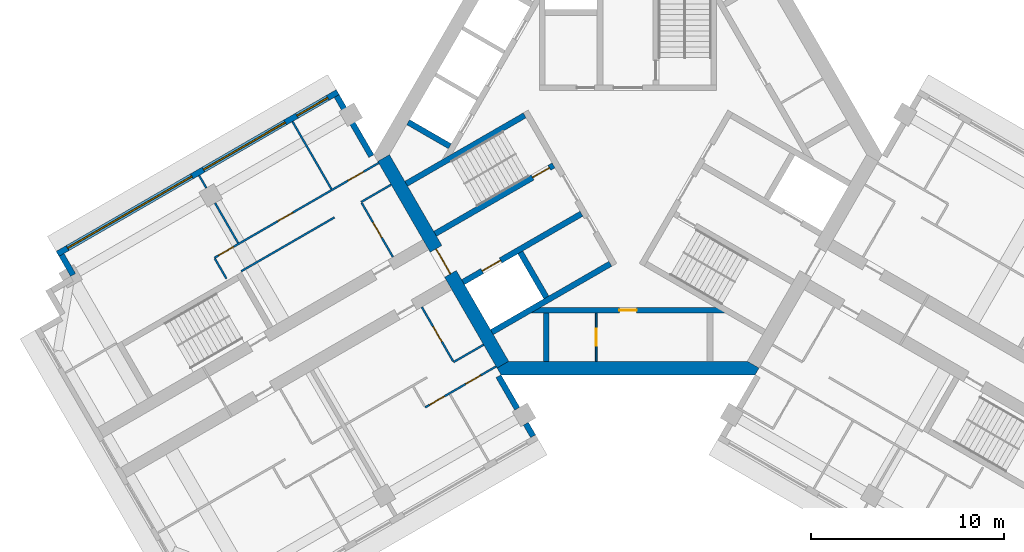
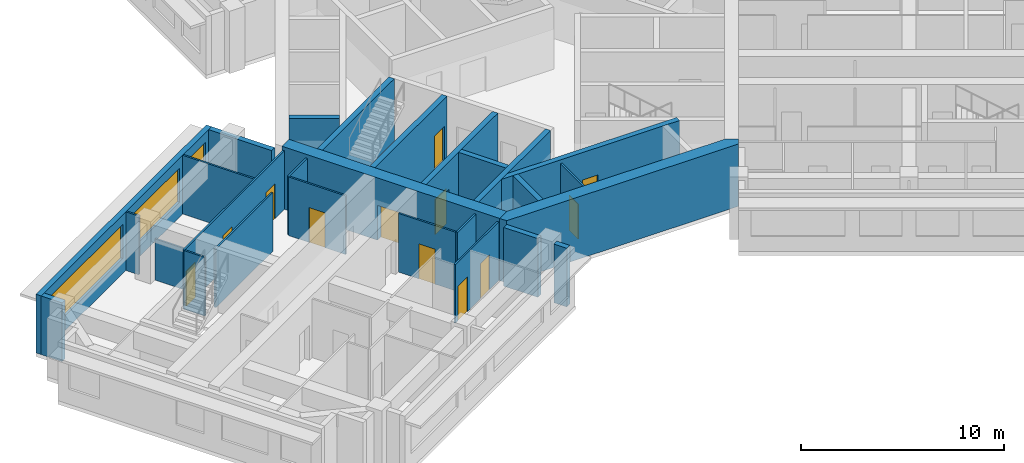
# One storey, part 3 of 10: 27 walls, 12 doors, 3 windows, 15 openings.
"""IFC4 building model written with IfcOpenShell, lengths in metres."""

from ifc_helpers import new_model, si_unit, direction, frame, frame_2d, origin, place, context, subcontext, project, spatial, polyline, rectangle, outline, extrude, material, layer, layer_set, type_object, element, fill, save


model = new_model("IFC4")

# Units and contexts
model_context = context("Model", 3, precision=1e-05, world=origin(), true_north=direction((0.0, 1.0)))
body_context = subcontext(model_context, "Body", "Model", "MODEL_VIEW")
ifc_project = project(units=[si_unit("LENGTHUNIT", "METRE"), si_unit("AREAUNIT", "SQUARE_METRE"), si_unit("VOLUMEUNIT", "CUBIC_METRE"), si_unit("PLANEANGLEUNIT", "RADIAN"), si_unit("MASSUNIT", "GRAM", prefix="KILO")], contexts=[model_context])

# Site, building, storey
site_placement = place(None, origin())
site = spatial("IfcSite", under=ifc_project, at=site_placement, CompositionType="ELEMENT")
building_placement = place(site_placement, origin())
building = spatial("IfcBuilding", under=site, at=building_placement, Name="Impinga Residences", CompositionType="ELEMENT")
storey_placement = place(building_placement, frame((0.0, 0.0, 252.25)))
storey = spatial("IfcBuildingStorey", under=building, at=storey_placement, Name="L63", CompositionType="ELEMENT", Elevation=252.25)

# Wall, opening, door
ifc_material_1 = material(Name="Concrete blockwork", Category="masonry")
ifc_layer_1 = layer(ifc_material_1, 0.10009765625)
ifc_layer_set_1 = layer_set([ifc_layer_1], Name="CP1 core room partition, blockwork 100")
wall_type_1 = type_object("IfcWallType", Name="CP1 core room partition, blockwork 100", PredefinedType="PARTITIONING", material=ifc_layer_set_1)
wall_1_placement = place(storey_placement, frame((-1.64990234375, -8.2314453125, 0.0), z_axis=(0.0, 0.0, 1.0), x_axis=(0.0, -1.0, 0.0)))
wall_1 = element("IfcWall", 1, at=wall_1_placement, inside=storey, type_object=wall_type_1, Name="Core room partition, blockwork L63:CORE:low:ZP1", PredefinedType="PARTITIONING", context=body_context, shape_type="SweptSolid", body=[
    extrude(rectangle(XDim=2.5, YDim=0.10009765625, at=frame_2d((1.25, 0.0))), origin(), (0.0, 0.0, 1.0), 3.530029296875),
])
opening_1_placement = place(wall_1_placement, frame((0.800048828125, 0.0, 0.0)))
opening_1 = element("IfcOpeningElement", 2, at=opening_1_placement, cuts=wall_1, Name="Opening D6", PredefinedType="OPENING", context=body_context, shape_type="SweptSolid", body=[
    extrude(rectangle(XDim=0.89990234375, YDim=2.10009765625, at=frame_2d((0.449951171875, 1.050048828125))), frame((0.0, 0.06005859375, 0.0), z_axis=(0.0, -1.0, 0.0), x_axis=(1.0, 0.0, 0.0)), (0.0, 0.0, 1.0), 0.1201171875),
])
ifc_material_2 = material(Name="Timber door set", Category="wood")
door_type_1 = type_object("IfcDoorType", Name="D6 riser and store door 900x2100", OperationType="SINGLE_SWING_LEFT", PredefinedType="DOOR", material=ifc_material_2)
door_1_placement = place(opening_1_placement, origin())
door_1 = element("IfcDoor", 3, at=door_1_placement, inside=storey, type_object=door_type_1, Name="Linen store door", OperationType="SINGLE_SWING_LEFT", OverallHeight=2.10009765625, OverallWidth=0.89990234375, PredefinedType="DOOR", context=body_context, shape_type="SweptSolid", body=[
    extrude(rectangle(XDim=0.89990234375, YDim=2.10009765625, at=frame_2d((0.449951171875, 1.050048828125))), frame((0.0, 0.02490234375, 0.0), z_axis=(0.0, -1.0, 0.0), x_axis=(1.0, 0.0, 0.0)), (0.0, 0.0, 1.0), 0.050048828125),
])
fill(opening_1, door_1)

# Wall
ifc_material_3 = material(Name="Terracotta rainscreen on blockwork", Category="masonry")
ifc_layer_2 = layer(ifc_material_3, 0.300048828125)
ifc_layer_set_2 = layer_set([ifc_layer_2], Name="EW1 external wall, terracotta rainscreen on blockwork 300")
wall_type_2 = type_object("IfcWallType", Name="EW1 external wall, terracotta rainscreen on blockwork 300", PredefinedType="SOLIDWALL", material=ifc_layer_set_2)
wall_2_placement = place(storey_placement, frame((-28.8193359375, -6.24658203125, 0.0), z_axis=(0.0, 0.0, 1.0), x_axis=(-0.500033551112, 0.866006032174, 0.0)))
element("IfcWall", 4, at=wall_2_placement, inside=storey, type_object=wall_type_2, Name="External wall EW1 L63", PredefinedType="SOLIDWALL", context=body_context, shape_type="SweptSolid", body=[
    extrude(rectangle(XDim=1.2001953125, YDim=0.300048828125, at=frame_2d((0.60009765625, 0.0))), origin(), (0.0, 0.0, 1.0), 3.530029296875),
])

# Wall, openings, windows
wall_3_placement = place(storey_placement, frame((-29.624267578125, -5.15234375, 0.0), z_axis=(0.0, 0.0, 1.0), x_axis=(0.86602925447, 0.499993330357, 0.0)))
wall_3 = element("IfcWall", 5, at=wall_3_placement, inside=storey, type_object=wall_type_2, Name="External wall EW1 L63", PredefinedType="SOLIDWALL", context=body_context, shape_type="SweptSolid", body=[
    extrude(rectangle(XDim=16.800048828125, YDim=0.300048828125, at=frame_2d((8.39990234375, 0.0))), origin(), (0.0, 0.0, 1.0), 3.530029296875),
])
opening_2_placement = place(wall_3_placement, frame((0.60009765625, 0.0, 0.89990234375)))
opening_2 = element("IfcOpeningElement", 6, at=opening_2_placement, cuts=wall_3, Name="Opening W7", PredefinedType="OPENING", context=body_context, shape_type="SweptSolid", body=[
    extrude(rectangle(XDim=7.449951171875, YDim=2.050048828125, at=frame_2d((3.72509765625, 1.02490234375))), frame((0.0, 0.159912109375, 0.0), z_axis=(0.0, -1.0, 0.0), x_axis=(1.0, 0.0, 0.0)), (0.0, 0.0, 1.0), 0.320068359375),
])
opening_3_placement = place(wall_3_placement, frame((8.75, 0.0, 0.89990234375)))
opening_3 = element("IfcOpeningElement", 7, at=opening_3_placement, cuts=wall_3, Name="Opening W16", PredefinedType="OPENING", context=body_context, shape_type="SweptSolid", body=[
    extrude(rectangle(XDim=4.89990234375, YDim=2.050048828125, at=frame_2d((2.449951171875, 1.02490234375))), frame((0.0, 0.159912109375, 0.0), z_axis=(0.0, -1.0, 0.0), x_axis=(1.0, 0.0, 0.0)), (0.0, 0.0, 1.0), 0.320068359375),
])
opening_4_placement = place(wall_3_placement, frame((14.35009765625, 0.0, 0.89990234375)))
opening_4 = element("IfcOpeningElement", 8, at=opening_4_placement, cuts=wall_3, Name="Opening W15", PredefinedType="OPENING", context=body_context, shape_type="SweptSolid", body=[
    extrude(rectangle(XDim=1.85009765625, YDim=2.050048828125, at=frame_2d((0.925048828125, 1.02490234375))), frame((0.0, 0.159912109375, 0.0), z_axis=(0.0, -1.0, 0.0), x_axis=(1.0, 0.0, 0.0)), (0.0, 0.0, 1.0), 0.320068359375),
])
ifc_material_4 = material(Name="Aluminium window, clear double glazing", Category="aluminium")
window_type_1 = type_object("IfcWindowType", Name="W15 ribbon window 1850x2050", PartitioningType="SINGLE_PANEL", PredefinedType="WINDOW", material=ifc_material_4)
window_1_placement = place(opening_4_placement, origin())
window_1 = element("IfcWindow", 9, at=window_1_placement, inside=storey, type_object=window_type_1, Name="Window L63", OverallHeight=2.050048828125, OverallWidth=1.85009765625, PartitioningType="SINGLE_PANEL", PredefinedType="WINDOW", context=body_context, shape_type="SweptSolid", body=[
    extrude(rectangle(XDim=1.85009765625, YDim=2.050048828125, at=frame_2d((0.925048828125, 1.02490234375))), frame((0.0, 0.030029296875, 0.0), z_axis=(0.0, -1.0, 0.0), x_axis=(1.0, 0.0, 0.0)), (0.0, 0.0, 1.0), 0.06005859375),
])
fill(opening_4, window_1)
window_type_2 = type_object("IfcWindowType", Name="W16 ribbon window 4900x2050", PartitioningType="SINGLE_PANEL", PredefinedType="WINDOW", material=ifc_material_4)
window_2_placement = place(opening_3_placement, origin())
window_2 = element("IfcWindow", 10, at=window_2_placement, inside=storey, type_object=window_type_2, Name="Window L63", OverallHeight=2.050048828125, OverallWidth=4.89990234375, PartitioningType="SINGLE_PANEL", PredefinedType="WINDOW", context=body_context, shape_type="SweptSolid", body=[
    extrude(rectangle(XDim=4.89990234375, YDim=2.050048828125, at=frame_2d((2.449951171875, 1.02490234375))), frame((0.0, 0.030029296875, 0.0), z_axis=(0.0, -1.0, 0.0), x_axis=(1.0, 0.0, 0.0)), (0.0, 0.0, 1.0), 0.06005859375),
])
fill(opening_3, window_2)
window_type_3 = type_object("IfcWindowType", Name="W7 ribbon window 7450x2050", PartitioningType="SINGLE_PANEL", PredefinedType="WINDOW", material=ifc_material_4)
window_3_placement = place(opening_2_placement, origin())
window_3 = element("IfcWindow", 11, at=window_3_placement, inside=storey, type_object=window_type_3, Name="Window L63", OverallHeight=2.050048828125, OverallWidth=7.449951171875, PartitioningType="SINGLE_PANEL", PredefinedType="WINDOW", context=body_context, shape_type="SweptSolid", body=[
    extrude(rectangle(XDim=7.449951171875, YDim=2.050048828125, at=frame_2d((3.72509765625, 1.02490234375))), frame((0.0, 0.030029296875, 0.0), z_axis=(0.0, -1.0, 0.0), x_axis=(1.0, 0.0, 0.0)), (0.0, 0.0, 1.0), 0.06005859375),
])
fill(opening_2, window_3)

# Walls
wall_4_placement = place(storey_placement, frame((-15.1298828125, 3.042724609375, 0.0), z_axis=(0.0, 0.0, 1.0), x_axis=(0.500012057535, -0.866018442252, 0.0)))
element("IfcWall", 12, at=wall_4_placement, inside=storey, type_object=wall_type_2, Name="External wall EW1 L63", PredefinedType="SOLIDWALL", context=body_context, shape_type="SweptSolid", body=[
    extrude(rectangle(XDim=3.60009765625, YDim=0.300048828125, at=frame_2d((1.800048828125, 0.0))), origin(), (0.0, 0.0, 1.0), 3.530029296875),
])
wall_5_placement = place(storey_placement, frame((-6.72998046875, -11.506591796875, 0.0), z_axis=(0.0, 0.0, 1.0), x_axis=(0.500043961785, -0.866000020948, 0.0)))
element("IfcWall", 13, at=wall_5_placement, inside=storey, type_object=wall_type_2, Name="External wall EW1 L63", PredefinedType="SOLIDWALL", context=body_context, shape_type="SweptSolid", body=[
    extrude(rectangle(XDim=1.949951171875, YDim=0.300048828125, at=frame_2d((0.97509765625, 0.0))), origin(), (0.0, 0.0, 1.0), 3.530029296875),
])
wall_6_placement = place(storey_placement, frame((-5.304931640625, -13.974609375, 0.0), z_axis=(0.0, 0.0, 1.0), x_axis=(0.499919672301, -0.866071776036, 0.0)))
element("IfcWall", 14, at=wall_6_placement, inside=storey, type_object=wall_type_2, Name="External wall EW1 L63", PredefinedType="SOLIDWALL", context=body_context, shape_type="SweptSolid", body=[
    extrude(rectangle(XDim=0.75, YDim=0.300048828125, at=frame_2d((0.375, 0.0))), origin(), (0.0, 0.0, 1.0), 3.530029296875),
])
ifc_material_5 = material(Name="Gypsum board on steel studs", Category="steel")
ifc_layer_3 = layer(ifc_material_5, 0.10009765625)
ifc_layer_set_3 = layer_set([ifc_layer_3], Name="Gypsum board on steel studs")
wall_type_3 = type_object("IfcWallType", Name="IP1 partition 100", PredefinedType="PARTITIONING", material=ifc_layer_set_3)
wall_7_placement = place(storey_placement, frame((-7.5, -9.872802734375, 0.0), z_axis=(0.0, 0.0, 1.0), x_axis=(-0.866047807691, -0.499961193289, 0.0)))
element("IfcWall", 15, at=wall_7_placement, inside=storey, type_object=wall_type_3, Name="Partition L63-WA1:DIV0", PredefinedType="PARTITIONING", context=body_context, shape_type="SweptSolid", body=[
    extrude(rectangle(XDim=1.800048828125, YDim=0.10009765625, at=frame_2d((0.89990234375, 0.0))), origin(), (0.0, 0.0, 1.0), 3.530029296875),
])

# Wall, openings, doors
wall_8_placement = place(storey_placement, frame((-6.85009765625, -10.99853515625, 0.0), z_axis=(0.0, 0.0, 1.0), x_axis=(-0.866014341725, -0.50001915956, 0.0)))
wall_8 = element("IfcWall", 16, at=wall_8_placement, inside=storey, type_object=wall_type_3, Name="Partition L63-WA1:STRIP", PredefinedType="PARTITIONING", context=body_context, shape_type="SweptSolid", body=[
    extrude(rectangle(XDim=4.249755859375, YDim=0.10009765625, at=frame_2d((2.125, 0.0))), origin(), (0.0, 0.0, 1.0), 3.530029296875),
])
opening_5_placement = place(wall_8_placement, frame((0.925048828125, 0.0, 0.0)))
opening_5 = element("IfcOpeningElement", 17, at=opening_5_placement, cuts=wall_8, Name="Opening D2", PredefinedType="OPENING", context=body_context, shape_type="SweptSolid", body=[
    extrude(rectangle(XDim=0.89990234375, YDim=2.10009765625, at=frame_2d((0.449951171875, 1.050048828125))), frame((0.0, 0.06005859375, 0.0), z_axis=(0.0, -1.0, 0.0), x_axis=(1.0, 0.0, 0.0)), (0.0, 0.0, 1.0), 0.1201171875),
])
opening_6_placement = place(wall_8_placement, frame((3.10009765625, 0.0, 0.0)))
opening_6 = element("IfcOpeningElement", 18, at=opening_6_placement, cuts=wall_8, Name="Opening D2", PredefinedType="OPENING", context=body_context, shape_type="SweptSolid", body=[
    extrude(rectangle(XDim=0.89990234375, YDim=2.10009765625, at=frame_2d((0.449951171875, 1.050048828125))), frame((0.0, 0.06005859375, 0.0), z_axis=(0.0, -1.0, 0.0), x_axis=(1.0, 0.0, 0.0)), (0.0, 0.0, 1.0), 0.1201171875),
])
door_type_2 = type_object("IfcDoorType", Name="D2 internal door 900x2100", OperationType="SINGLE_SWING_LEFT", PredefinedType="DOOR", material=ifc_material_2)
door_2_placement = place(opening_5_placement, origin())
door_2 = element("IfcDoor", 19, at=door_2_placement, inside=storey, type_object=door_type_2, Name="Apartment L63-WA1 room door", OperationType="SINGLE_SWING_LEFT", OverallHeight=2.10009765625, OverallWidth=0.89990234375, PredefinedType="DOOR", context=body_context, shape_type="SweptSolid", body=[
    extrude(rectangle(XDim=0.89990234375, YDim=2.10009765625, at=frame_2d((0.449951171875, 1.050048828125))), frame((0.0, 0.02490234375, 0.0), z_axis=(0.0, -1.0, 0.0), x_axis=(1.0, 0.0, 0.0)), (0.0, 0.0, 1.0), 0.050048828125),
])
fill(opening_5, door_2)
door_3_placement = place(opening_6_placement, origin())
door_3 = element("IfcDoor", 20, at=door_3_placement, inside=storey, type_object=door_type_2, Name="Apartment L63-WA1 room door", OperationType="SINGLE_SWING_RIGHT", OverallHeight=2.10009765625, OverallWidth=0.89990234375, PredefinedType="DOOR", context=body_context, shape_type="SweptSolid", body=[
    extrude(rectangle(XDim=0.89990234375, YDim=2.10009765625, at=frame_2d((0.449951171875, 1.050048828125))), frame((0.0, 0.02490234375, 0.0), z_axis=(0.0, -1.0, 0.0), x_axis=(1.0, 0.0, 0.0)), (0.0, 0.0, 1.0), 0.050048828125),
])
fill(opening_6, door_3)

# Wall, opening, door
wall_9_placement = place(storey_placement, frame((-10.708740234375, -7.914794921875, 0.0), z_axis=(0.0, 0.0, 1.0), x_axis=(0.499984717929, -0.866034226713, 0.0)))
wall_9 = element("IfcWall", 21, at=wall_9_placement, inside=storey, type_object=wall_type_3, Name="Partition L63-WA1:IB1", PredefinedType="PARTITIONING", context=body_context, shape_type="SweptSolid", body=[
    extrude(rectangle(XDim=3.25, YDim=0.10009765625, at=frame_2d((1.625, 0.0))), origin(), (0.0, 0.0, 1.0), 3.530029296875),
])
opening_7_placement = place(wall_9_placement, frame((1.175048828125, 0.0, 0.0)))
opening_7 = element("IfcOpeningElement", 22, at=opening_7_placement, cuts=wall_9, Name="Opening D2", PredefinedType="OPENING", context=body_context, shape_type="SweptSolid", body=[
    extrude(rectangle(XDim=0.89990234375, YDim=2.10009765625, at=frame_2d((0.449951171875, 1.050048828125))), frame((0.0, 0.06005859375, 0.0), z_axis=(0.0, -1.0, 0.0), x_axis=(1.0, 0.0, 0.0)), (0.0, 0.0, 1.0), 0.1201171875),
])
door_4_placement = place(opening_7_placement, origin())
door_4 = element("IfcDoor", 23, at=door_4_placement, inside=storey, type_object=door_type_2, Name="Apartment L63-WA1 bathroom door", OperationType="SINGLE_SWING_LEFT", OverallHeight=2.10009765625, OverallWidth=0.89990234375, PredefinedType="DOOR", context=body_context, shape_type="SweptSolid", body=[
    extrude(rectangle(XDim=0.89990234375, YDim=2.10009765625, at=frame_2d((0.449951171875, 1.050048828125))), frame((0.0, 0.02490234375, 0.0), z_axis=(0.0, -1.0, 0.0), x_axis=(1.0, 0.0, 0.0)), (0.0, 0.0, 1.0), 0.050048828125),
])
fill(opening_7, door_4)

# Walls
wall_10_placement = place(storey_placement, frame((-12.300048828125, -1.558837890625, 0.0), z_axis=(0.0, 0.0, 1.0), x_axis=(-0.866047807691, -0.499961193289, 0.0)))
element("IfcWall", 24, at=wall_10_placement, inside=storey, type_object=wall_type_3, Name="Partition L63-WF1:DIV0", PredefinedType="PARTITIONING", context=body_context, shape_type="SweptSolid", body=[
    extrude(rectangle(XDim=1.800048828125, YDim=0.10009765625, at=frame_2d((0.89990234375, 0.0))), origin(), (0.0, 0.0, 1.0), 3.530029296875),
])
wall_11_placement = place(storey_placement, frame((-15.244384765625, -3.2587890625, 0.0), z_axis=(0.0, 0.0, 1.0), x_axis=(-0.866026594901, -0.49999793692, 0.0)))
element("IfcWall", 25, at=wall_11_placement, inside=storey, type_object=wall_type_3, Name="Partition L63-WF1:DIV1", PredefinedType="PARTITIONING", context=body_context, shape_type="SweptSolid", body=[
    extrude(rectangle(XDim=5.60009765625, YDim=0.10009765625, at=frame_2d((2.800048828125, 0.0))), origin(), (0.0, 0.0, 1.0), 3.530029296875),
])

# Wall, openings, doors
wall_12_placement = place(storey_placement, frame((-12.949951171875, -0.43310546875, 0.0), z_axis=(0.0, 0.0, 1.0), x_axis=(-0.866038236991, -0.499977771575, 0.0)))
wall_12 = element("IfcWall", 26, at=wall_12_placement, inside=storey, type_object=wall_type_3, Name="Partition L63-WF1:STRIP", PredefinedType="PARTITIONING", context=body_context, shape_type="SweptSolid", body=[
    extrude(rectangle(XDim=9.85009765625, YDim=0.10009765625, at=frame_2d((4.925048828125, 0.0))), origin(), (0.0, 0.0, 1.0), 3.530029296875),
])
opening_8_placement = place(wall_12_placement, frame((0.925048828125, 0.0, 0.0)))
opening_8 = element("IfcOpeningElement", 27, at=opening_8_placement, cuts=wall_12, Name="Opening D2", PredefinedType="OPENING", context=body_context, shape_type="SweptSolid", body=[
    extrude(rectangle(XDim=0.89990234375, YDim=2.10009765625, at=frame_2d((0.449951171875, 1.050048828125))), frame((0.0, 0.06005859375, 0.0), z_axis=(0.0, -1.0, 0.0), x_axis=(1.0, 0.0, 0.0)), (0.0, 0.0, 1.0), 0.1201171875),
])
opening_9_placement = place(wall_12_placement, frame((5.14990234375, 0.0, 0.0)))
opening_9 = element("IfcOpeningElement", 28, at=opening_9_placement, cuts=wall_12, Name="Opening D2", PredefinedType="OPENING", context=body_context, shape_type="SweptSolid", body=[
    extrude(rectangle(XDim=0.89990234375, YDim=2.10009765625, at=frame_2d((0.449951171875, 1.050048828125))), frame((0.0, 0.06005859375, 0.0), z_axis=(0.0, -1.0, 0.0), x_axis=(1.0, 0.0, 0.0)), (0.0, 0.0, 1.0), 0.1201171875),
])
opening_10_placement = place(wall_12_placement, frame((8.699951171875, 0.0, 0.0)))
opening_10 = element("IfcOpeningElement", 29, at=opening_10_placement, cuts=wall_12, Name="Opening D2", PredefinedType="OPENING", context=body_context, shape_type="SweptSolid", body=[
    extrude(rectangle(XDim=0.89990234375, YDim=2.10009765625, at=frame_2d((0.449951171875, 1.050048828125))), frame((0.0, 0.06005859375, 0.0), z_axis=(0.0, -1.0, 0.0), x_axis=(1.0, 0.0, 0.0)), (0.0, 0.0, 1.0), 0.1201171875),
])
door_5_placement = place(opening_8_placement, origin())
door_5 = element("IfcDoor", 30, at=door_5_placement, inside=storey, type_object=door_type_2, Name="Apartment L63-WF1 room door", OperationType="SINGLE_SWING_LEFT", OverallHeight=2.10009765625, OverallWidth=0.89990234375, PredefinedType="DOOR", context=body_context, shape_type="SweptSolid", body=[
    extrude(rectangle(XDim=0.89990234375, YDim=2.10009765625, at=frame_2d((0.449951171875, 1.050048828125))), frame((0.0, 0.02490234375, 0.0), z_axis=(0.0, -1.0, 0.0), x_axis=(1.0, 0.0, 0.0)), (0.0, 0.0, 1.0), 0.050048828125),
])
fill(opening_8, door_5)
door_6_placement = place(opening_9_placement, origin())
door_6 = element("IfcDoor", 31, at=door_6_placement, inside=storey, type_object=door_type_2, Name="Apartment L63-WF1 room door", OperationType="SINGLE_SWING_RIGHT", OverallHeight=2.10009765625, OverallWidth=0.89990234375, PredefinedType="DOOR", context=body_context, shape_type="SweptSolid", body=[
    extrude(rectangle(XDim=0.89990234375, YDim=2.10009765625, at=frame_2d((0.449951171875, 1.050048828125))), frame((0.0, 0.02490234375, 0.0), z_axis=(0.0, -1.0, 0.0), x_axis=(1.0, 0.0, 0.0)), (0.0, 0.0, 1.0), 0.050048828125),
])
fill(opening_9, door_6)
door_7_placement = place(opening_10_placement, origin())
door_7 = element("IfcDoor", 32, at=door_7_placement, inside=storey, type_object=door_type_2, Name="Apartment L63-WF1 room door", OperationType="SINGLE_SWING_RIGHT", OverallHeight=2.10009765625, OverallWidth=0.89990234375, PredefinedType="DOOR", context=body_context, shape_type="SweptSolid", body=[
    extrude(rectangle(XDim=0.89990234375, YDim=2.10009765625, at=frame_2d((0.449951171875, 1.050048828125))), frame((0.0, 0.02490234375, 0.0), z_axis=(0.0, -1.0, 0.0), x_axis=(1.0, 0.0, 0.0)), (0.0, 0.0, 1.0), 0.050048828125),
])
fill(opening_10, door_7)

# Wall
wall_13_placement = place(storey_placement, frame((-20.85546875, -6.4404296875, 0.0), z_axis=(0.0, 0.0, 1.0), x_axis=(-0.499969057507, 0.866043267704, 0.0)))
element("IfcWall", 33, at=wall_13_placement, inside=storey, type_object=wall_type_3, Name="Partition L63-WF1:SE1", PredefinedType="PARTITIONING", context=body_context, shape_type="SweptSolid", body=[
    extrude(rectangle(XDim=1.19970703125, YDim=0.10009765625, at=frame_2d((0.599853515625, 0.0))), origin(), (0.0, 0.0, 1.0), 3.530029296875),
])

# Wall, opening, door
wall_14_placement = place(storey_placement, frame((-12.208740234375, -5.316650390625, 0.0), z_axis=(0.0, 0.0, 1.0), x_axis=(-0.500017246033, 0.866015446554, 0.0)))
wall_14 = element("IfcWall", 34, at=wall_14_placement, inside=storey, type_object=wall_type_3, Name="Partition L63-WF1:IB1", PredefinedType="PARTITIONING", context=body_context, shape_type="SweptSolid", body=[
    extrude(rectangle(XDim=3.25, YDim=0.10009765625, at=frame_2d((1.625, 0.0))), origin(), (0.0, 0.0, 1.0), 3.530029296875),
])
opening_11_placement = place(wall_14_placement, frame((1.175048828125, 0.0, 0.0)))
opening_11 = element("IfcOpeningElement", 35, at=opening_11_placement, cuts=wall_14, Name="Opening D2", PredefinedType="OPENING", context=body_context, shape_type="SweptSolid", body=[
    extrude(rectangle(XDim=0.89990234375, YDim=2.10009765625, at=frame_2d((0.449951171875, 1.050048828125))), frame((0.0, 0.06005859375, 0.0), z_axis=(0.0, -1.0, 0.0), x_axis=(1.0, 0.0, 0.0)), (0.0, 0.0, 1.0), 0.1201171875),
])
door_8_placement = place(opening_11_placement, origin())
door_8 = element("IfcDoor", 36, at=door_8_placement, inside=storey, type_object=door_type_2, Name="Apartment L63-WF1 bathroom door", OperationType="SINGLE_SWING_LEFT", OverallHeight=2.10009765625, OverallWidth=0.89990234375, PredefinedType="DOOR", context=body_context, shape_type="SweptSolid", body=[
    extrude(rectangle(XDim=0.89990234375, YDim=2.10009765625, at=frame_2d((0.449951171875, 1.050048828125))), frame((0.0, 0.02490234375, 0.0), z_axis=(0.0, -1.0, 0.0), x_axis=(1.0, 0.0, 0.0)), (0.0, 0.0, 1.0), 0.050048828125),
])
fill(opening_11, door_8)

# Walls
wall_15_placement = place(storey_placement, frame((-15.39990234375, -1.789794921875, 0.0), z_axis=(0.0, 0.0, 1.0), x_axis=(-0.499964223975, 0.866046058097, 0.0)))
element("IfcWall", 37, at=wall_15_placement, inside=storey, type_object=wall_type_3, Name="Partition L63-WF1:OB1", PredefinedType="PARTITIONING", context=body_context, shape_type="SweptSolid", body=[
    extrude(rectangle(XDim=4.050048828125, YDim=0.10009765625, at=frame_2d((2.02490234375, 0.0))), origin(), (0.0, 0.0, 1.0), 3.530029296875),
])
wall_16_placement = place(storey_placement, frame((-20.24951171875, -4.589599609375, 0.0), z_axis=(0.0, 0.0, 1.0), x_axis=(-0.500077600433, 0.865980596518, 0.0)))
element("IfcWall", 38, at=wall_16_placement, inside=storey, type_object=wall_type_3, Name="Partition L63-WF1:OB2", PredefinedType="PARTITIONING", context=body_context, shape_type="SweptSolid", body=[
    extrude(rectangle(XDim=2.39990234375, YDim=0.10009765625, at=frame_2d((1.199951171875, 0.0))), origin(), (0.0, 0.0, 1.0), 2.47998046875),
])
wall_17_placement = place(storey_placement, frame((-21.899658203125, -1.73193359375, 0.0), z_axis=(0.0, 0.0, 1.0), x_axis=(-0.499919672301, 0.866071776036, 0.0)))
element("IfcWall", 39, at=wall_17_placement, inside=storey, type_object=wall_type_3, Name="Partition L63-WF1:OB2b", PredefinedType="PARTITIONING", context=body_context, shape_type="SweptSolid", body=[
    extrude(rectangle(XDim=0.75, YDim=0.10009765625, at=frame_2d((0.375, 0.0))), origin(), (0.0, 0.0, 1.0), 3.530029296875),
])

# Wall, opening, door
ifc_material_6 = material(Name="Concrete C60/75", Category="concrete")
ifc_layer_4 = layer(ifc_material_6, 0.699951171875)
ifc_layer_set_4 = layer_set([ifc_layer_4], Name="Concrete C60/75")
wall_type_4 = type_object("IfcWallType", Name="SW3 core wall 700", PredefinedType="SHEAR", material=ifc_layer_set_4)
wall_18_placement = place(storey_placement, frame((-6.4990234375, -10.906494140625, 0.0), z_axis=(0.0, 0.0, 1.0), x_axis=(-0.499999875397, 0.866025475724, 0.0)))
wall_18 = element("IfcWall", 40, at=wall_18_placement, inside=storey, type_object=wall_type_4, Name="Core wall SW3 W:FACE L63", PredefinedType="SHEAR", context=body_context, shape_type="SweptSolid", body=[
    extrude(rectangle(XDim=12.3916015625, YDim=0.699951171875, at=frame_2d((6.19580078125, 0.0))), origin(), (0.0, 0.0, 1.0), 3.75),
])
opening_12_placement = place(wall_18_placement, frame((5.44580078125, 0.0, 0.0)))
opening_12 = element("IfcOpeningElement", 41, at=opening_12_placement, cuts=wall_18, Name="Opening D4", PredefinedType="OPENING", context=body_context, shape_type="SweptSolid", body=[
    extrude(rectangle(XDim=1.5, YDim=2.10009765625, at=frame_2d((0.75, 1.050048828125))), frame((0.0, 0.35986328125, 0.0), z_axis=(0.0, -1.0, 0.0), x_axis=(1.0, 0.0, 0.0)), (0.0, 0.0, 1.0), 0.719970703125),
])
door_type_3 = type_object("IfcDoorType", Name="D4 lobby door pair 1500x2100", OperationType="DOUBLE_DOOR_DOUBLE_SWING", PredefinedType="DOOR", material=ifc_material_2)
door_9_placement = place(opening_12_placement, origin())
door_9 = element("IfcDoor", 42, at=door_9_placement, inside=storey, type_object=door_type_3, Name="Lobby door W", OperationType="DOUBLE_DOOR_DOUBLE_SWING", OverallHeight=2.10009765625, OverallWidth=1.5, PredefinedType="DOOR", context=body_context, shape_type="SweptSolid", body=[
    extrude(rectangle(XDim=1.5, YDim=2.10009765625, at=frame_2d((0.75, 1.050048828125))), frame((0.0, 0.02490234375, 0.0), z_axis=(0.0, -1.0, 0.0), x_axis=(1.0, 0.0, 0.0)), (0.0, 0.0, 1.0), 0.050048828125),
])
fill(opening_12, door_9)

# Wall
wall_19_placement = place(storey_placement, origin())
element("IfcWall", 43, at=wall_19_placement, inside=storey, type_object=wall_type_4, Name="Core wall SW3 N:EXPOSED L63", PredefinedType="SHEAR", context=body_context, shape_type="SweptSolid", body=[
    extrude(outline(polyline([(-6.60009765625, -11.431640625), (6.60009765625, -11.431640625), (6.802001953125, -11.08154296875), (6.19580078125, -10.7314453125), (-6.19580078125, -10.7314453125), (-6.802001953125, -11.08154296875), (-6.60009765625, -11.431640625)])), origin(), (0.0, 0.0, 1.0), 3.75),
])

# Wall, opening, door
ifc_material_7 = material(Name="Concrete C70/85", Category="concrete")
ifc_layer_5 = layer(ifc_material_7, 0.300048828125)
ifc_layer_set_5 = layer_set([ifc_layer_5], Name="Concrete C70/85")
wall_type_5 = type_object("IfcWallType", Name="SW5 core inner wall, stairs, shafts and lobbies 300", PredefinedType="SHEAR", material=ifc_layer_set_5)
wall_20_placement = place(storey_placement, frame((-3.86865234375, -0.559326171875, 0.0), z_axis=(0.0, 0.0, 1.0), x_axis=(-0.866025859768, -0.499999210213, 0.0)))
wall_20 = element("IfcWall", 44, at=wall_20_placement, inside=storey, type_object=wall_type_5, Name="Core wall SW5 W:ST-IN L63", PredefinedType="SHEAR", context=body_context, shape_type="SweptSolid", body=[
    extrude(rectangle(XDim=7.1015625, YDim=0.300048828125, at=frame_2d((3.55078125, 0.0))), origin(), (0.0, 0.0, 1.0), 3.75),
])
opening_13_placement = place(wall_20_placement, frame((0.25, 0.0, 0.0)))
opening_13 = element("IfcOpeningElement", 45, at=opening_13_placement, cuts=wall_20, Name="Opening D5", PredefinedType="OPENING", context=body_context, shape_type="SweptSolid", body=[
    extrude(rectangle(XDim=1.0, YDim=2.10009765625, at=frame_2d((0.5, 1.050048828125))), frame((0.0, 0.159912109375, 0.0), z_axis=(0.0, -1.0, 0.0), x_axis=(1.0, 0.0, 0.0)), (0.0, 0.0, 1.0), 0.320068359375),
])
door_type_4 = type_object("IfcDoorType", Name="D5 stair door 1000x2100", OperationType="SINGLE_SWING_LEFT", PredefinedType="DOOR", material=ifc_material_2)
door_10_placement = place(opening_13_placement, origin())
door_10 = element("IfcDoor", 46, at=door_10_placement, inside=storey, type_object=door_type_4, Name="Stair door W", OperationType="SINGLE_SWING_LEFT", OverallHeight=2.10009765625, OverallWidth=1.0, PredefinedType="DOOR", context=body_context, shape_type="SweptSolid", body=[
    extrude(rectangle(XDim=1.0, YDim=2.10009765625, at=frame_2d((0.5, 1.050048828125))), frame((0.0, 0.02490234375, 0.0), z_axis=(0.0, -1.0, 0.0), x_axis=(1.0, 0.0, 0.0)), (0.0, 0.0, 1.0), 0.050048828125),
])
fill(opening_13, door_10)

# Wall
wall_21_placement = place(storey_placement, frame((-5.36865234375, 2.038818359375, 0.0), z_axis=(0.0, 0.0, 1.0), x_axis=(-0.866025859768, -0.499999210213, 0.0)))
element("IfcWall", 47, at=wall_21_placement, inside=storey, type_object=wall_type_5, Name="Core wall SW5 W:ST-OUT L63", PredefinedType="SHEAR", context=body_context, shape_type="SweptSolid", body=[
    extrude(rectangle(XDim=7.1015625, YDim=0.300048828125, at=frame_2d((3.55078125, 0.0))), origin(), (0.0, 0.0, 1.0), 3.75),
])

# Wall, opening, door
wall_22_placement = place(storey_placement, frame((-2.418701171875, -3.07080078125, 0.0), z_axis=(0.0, 0.0, 1.0), x_axis=(-0.866025859768, -0.499999210213, 0.0)))
wall_22 = element("IfcWall", 48, at=wall_22_placement, inside=storey, type_object=wall_type_5, Name="Core wall SW5 W:FF-IN L63", PredefinedType="SHEAR", context=body_context, shape_type="SweptSolid", body=[
    extrude(rectangle(XDim=7.1015625, YDim=0.300048828125, at=frame_2d((3.55078125, 0.0))), origin(), (0.0, 0.0, 1.0), 3.75),
])
opening_14_placement = place(wall_22_placement, frame((4.85009765625, 0.0, 0.0)))
opening_14 = element("IfcOpeningElement", 49, at=opening_14_placement, cuts=wall_22, Name="Opening LD2", PredefinedType="OPENING", context=body_context, shape_type="SweptSolid", body=[
    extrude(rectangle(XDim=1.10009765625, YDim=2.10009765625, at=frame_2d((0.550048828125, 1.050048828125))), frame((0.0, 0.159912109375, 0.0), z_axis=(0.0, -1.0, 0.0), x_axis=(1.0, 0.0, 0.0)), (0.0, 0.0, 1.0), 0.320068359375),
])
ifc_material_8 = material(Name="Steel lift landing door", Category="steel")
door_type_5 = type_object("IfcDoorType", Name="LD2 firefighting lift landing door 1100x2100", OperationType="DOUBLE_DOOR_SLIDING", PredefinedType="DOOR", material=ifc_material_8)
door_11_placement = place(opening_14_placement, origin())
door_11 = element("IfcDoor", 50, at=door_11_placement, inside=storey, type_object=door_type_5, Name="Firefighting lift landing door F2", OperationType="DOUBLE_DOOR_SLIDING", OverallHeight=2.10009765625, OverallWidth=1.10009765625, PredefinedType="DOOR", context=body_context, shape_type="SweptSolid", body=[
    extrude(rectangle(XDim=1.10009765625, YDim=2.10009765625, at=frame_2d((0.550048828125, 1.050048828125))), frame((0.0, 0.02490234375, 0.0), z_axis=(0.0, -1.0, 0.0), x_axis=(1.0, 0.0, 0.0)), (0.0, 0.0, 1.0), 0.050048828125),
])
fill(opening_14, door_11)

# Walls
wall_23_placement = place(storey_placement, frame((-0.918701171875, -5.668701171875, 0.0), z_axis=(0.0, 0.0, 1.0), x_axis=(-0.866025859768, -0.499999210213, 0.0)))
element("IfcWall", 51, at=wall_23_placement, inside=storey, type_object=wall_type_5, Name="Core wall SW5 W:FF-OUT L63", PredefinedType="SHEAR", context=body_context, shape_type="SweptSolid", body=[
    extrude(rectangle(XDim=7.1015625, YDim=0.300048828125, at=frame_2d((3.55078125, 0.0))), origin(), (0.0, 0.0, 1.0), 3.75),
])
wall_24_placement = place(storey_placement, frame((-4.2412109375, -7.413818359375, 0.0), z_axis=(0.0, 0.0, 1.0), x_axis=(-0.500048589285, 0.86599734893, 0.0)))
element("IfcWall", 52, at=wall_24_placement, inside=storey, type_object=wall_type_5, Name="Core wall SW5 W:FF-RS L63", PredefinedType="SHEAR", context=body_context, shape_type="SweptSolid", body=[
    extrude(rectangle(XDim=2.699951171875, YDim=0.300048828125, at=frame_2d((1.35009765625, 0.0))), origin(), (0.0, 0.0, 1.0), 3.75),
])

# Wall, opening, door
wall_25_placement = place(storey_placement, frame((5.09765625, -8.08154296875, 0.0), z_axis=(0.0, 0.0, 1.0), x_axis=(-1.0, 0.0, 0.0)))
wall_25 = element("IfcWall", 53, at=wall_25_placement, inside=storey, type_object=wall_type_5, Name="Core wall SW5 N:BANK-FRONT L63", PredefinedType="SHEAR", context=body_context, shape_type="SweptSolid", body=[
    extrude(rectangle(XDim=10.1953125, YDim=0.300048828125, at=frame_2d((5.09765625, 0.0))), origin(), (0.0, 0.0, 1.0), 3.75),
])
opening_15_placement = place(wall_25_placement, frame((4.647705078125, 0.0, 0.0)))
opening_15 = element("IfcOpeningElement", 54, at=opening_15_placement, cuts=wall_25, Name="Opening D6", PredefinedType="OPENING", context=body_context, shape_type="SweptSolid", body=[
    extrude(rectangle(XDim=0.89990234375, YDim=2.10009765625, at=frame_2d((0.449951171875, 1.050048828125))), frame((0.0, 0.159912109375, 0.0), z_axis=(0.0, -1.0, 0.0), x_axis=(1.0, 0.0, 0.0)), (0.0, 0.0, 1.0), 0.320068359375),
])
door_12_placement = place(opening_15_placement, origin())
door_12 = element("IfcDoor", 55, at=door_12_placement, inside=storey, type_object=door_type_1, Name="Housekeeping store door", OperationType="SINGLE_SWING_LEFT", OverallHeight=2.10009765625, OverallWidth=0.89990234375, PredefinedType="DOOR", context=body_context, shape_type="SweptSolid", body=[
    extrude(rectangle(XDim=0.89990234375, YDim=2.10009765625, at=frame_2d((0.449951171875, 1.050048828125))), frame((0.0, 0.02490234375, 0.0), z_axis=(0.0, -1.0, 0.0), x_axis=(1.0, 0.0, 0.0)), (0.0, 0.0, 1.0), 0.050048828125),
])
fill(opening_15, door_12)

# Walls
for number, where, z_axis, x_axis, name in (
    (56, (-4.25, -8.2314453125, 0.0), (0.0, 0.0, 1.0), (0.0, -1.0, 0.0), "Core wall SW5 N:BANK-R L63"),
    (57, (-9.253662109375, 0.43505859375, 0.0), (0.0, 0.0, 1.0), (-0.866022959057, 0.500004234368, 0.0), "Core wall SW5 E:BANK-L L63"),
):
    element("IfcWall", number, at=place(storey_placement, frame(where, z_axis=z_axis, x_axis=x_axis)), inside=storey, type_object=wall_type_5, Name=name, PredefinedType="SHEAR", context=body_context, shape_type="SweptSolid", body=[
        extrude(rectangle(XDim=2.5, YDim=0.300048828125, at=frame_2d((1.25, 0.0))), origin(), (0.0, 0.0, 1.0), 3.75),
    ])

save(model, "model.ifc")
